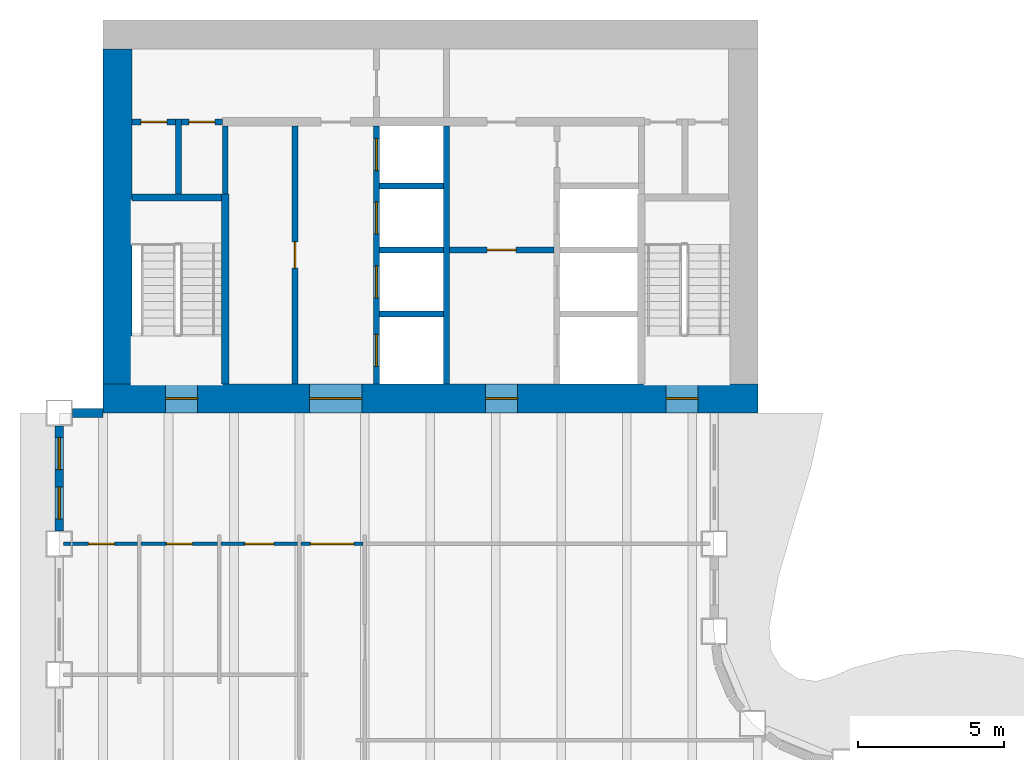
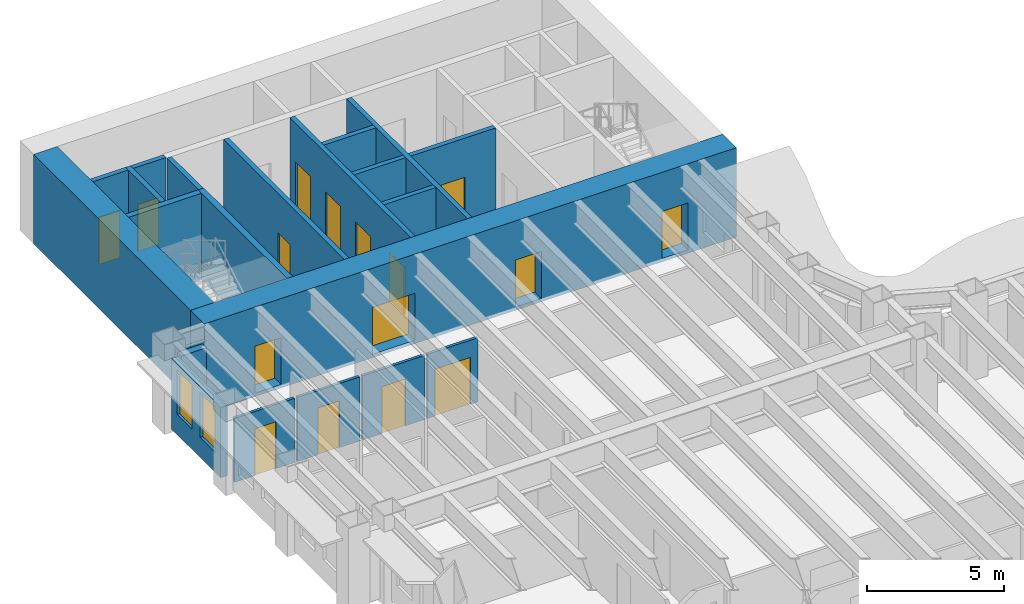
# One storey, part 8 of 16: 21 walls, 16 doors, 2 windows, 18 openings.
"""IFC4 building model written with IfcOpenShell, lengths in metres."""

from ifc_helpers import new_model, si_unit, direction, frame, frame_2d, origin, place, context, subcontext, project, spatial, rectangle, extrude, material, layer, layer_set, type_object, element, fill, save


model = new_model("IFC4")

# Units and contexts
model_context = context("Model", 3, precision=1e-05, world=origin(), true_north=direction((0.0, 1.0)))
body_context = subcontext(model_context, "Body", "Model", "MODEL_VIEW")
ifc_project = project(units=[si_unit("LENGTHUNIT", "METRE"), si_unit("AREAUNIT", "SQUARE_METRE"), si_unit("VOLUMEUNIT", "CUBIC_METRE"), si_unit("PLANEANGLEUNIT", "RADIAN"), si_unit("MASSUNIT", "GRAM", prefix="KILO")], contexts=[model_context])

# Site, building, storey
site_placement = place(None, origin())
site = spatial("IfcSite", under=ifc_project, at=site_placement, CompositionType="ELEMENT")
building_placement = place(site_placement, origin())
building = spatial("IfcBuilding", under=site, at=building_placement, Name="Sennacour Bend Tower", CompositionType="ELEMENT")
storey_placement = place(building_placement, frame((0.0, 0.0, 175.0)))
storey = spatial("IfcBuildingStorey", under=building, at=storey_placement, Name="L40", CompositionType="ELEMENT", Elevation=175.0)

# Wall, openings, doors
ifc_material_1 = material(Name="Concrete C60/75", Category="concrete")
ifc_layer_1 = layer(ifc_material_1, 1.0, Name="Concrete C60/75", Category="concrete")
ifc_layer_set_1 = layer_set([ifc_layer_1], Name="Concrete C60/75")
wall_type_1 = type_object("IfcWallType", Name="Core wall 1000 C60/75", PredefinedType="SHEAR", material=ifc_layer_set_1)
wall_1_placement = place(storey_placement, frame((0.0, 36.5, -0.14990234375), z_axis=(0.0, 0.0, 1.0), x_axis=(1.0, 0.0, 0.0)))
wall_1 = element("IfcWall", 1, at=wall_1_placement, inside=storey, type_object=wall_type_1, Name="Core B wall L40 S", PredefinedType="SHEAR", context=body_context, shape_type="SweptSolid", body=[
    extrude(rectangle(XDim=22.5, YDim=1.0, at=frame_2d((11.25, 0.0))), origin(), (0.0, 0.0, 1.0), 4.0),
])
opening_1_placement = place(wall_1_placement, frame((7.10009765625, 0.0, 0.14990234375)))
opening_1 = element("IfcOpeningElement", 2, at=opening_1_placement, cuts=wall_1, Name="Opening CD", PredefinedType="OPENING", context=body_context, shape_type="SweptSolid", body=[
    extrude(rectangle(XDim=1.800048828125, YDim=2.10009765625, at=frame_2d((0.89990234375, 1.050048828125))), frame((0.0, 0.510009765625, 0.0), z_axis=(0.0, -1.0, 0.0), x_axis=(1.0, 0.0, 0.0)), (0.0, 0.0, 1.0), 1.02001953125),
])
opening_2_placement = place(wall_1_placement, frame((13.14990234375, 0.0, 0.14990234375)))
opening_2 = element("IfcOpeningElement", 3, at=opening_2_placement, cuts=wall_1, Name="Opening FD", PredefinedType="OPENING", context=body_context, shape_type="SweptSolid", body=[
    extrude(rectangle(XDim=1.10009765625, YDim=2.10009765625, at=frame_2d((0.550048828125, 1.050048828125))), frame((0.0, 0.510009765625, 0.0), z_axis=(0.0, -1.0, 0.0), x_axis=(1.0, 0.0, 0.0)), (0.0, 0.0, 1.0), 1.02001953125),
])
opening_3_placement = place(wall_1_placement, frame((2.14990234375, 0.0, 0.14990234375)))
opening_3 = element("IfcOpeningElement", 4, at=opening_3_placement, cuts=wall_1, Name="Opening SD", PredefinedType="OPENING", context=body_context, shape_type="SweptSolid", body=[
    extrude(rectangle(XDim=1.10009765625, YDim=2.10009765625, at=frame_2d((0.550048828125, 1.050048828125))), frame((0.0, 0.510009765625, 0.0), z_axis=(0.0, -1.0, 0.0), x_axis=(1.0, 0.0, 0.0)), (0.0, 0.0, 1.0), 1.02001953125),
])
opening_4_placement = place(wall_1_placement, frame((19.35009765625, 0.0, 0.14990234375)))
opening_4 = element("IfcOpeningElement", 5, at=opening_4_placement, cuts=wall_1, Name="Opening SD", PredefinedType="OPENING", context=body_context, shape_type="SweptSolid", body=[
    extrude(rectangle(XDim=1.10009765625, YDim=2.10009765625, at=frame_2d((0.550048828125, 1.050048828125))), frame((0.0, 0.510009765625, 0.0), z_axis=(0.0, -1.0, 0.0), x_axis=(1.0, 0.0, 0.0)), (0.0, 0.0, 1.0), 1.02001953125),
])
ifc_material_2 = material(Name="Painted steel", Category="steel")
door_type_1 = type_object("IfcDoorType", Name="DR-FFL-1100", OperationType="NOTDEFINED", PredefinedType="DOOR", material=ifc_material_2)
door_1_placement = place(opening_2_placement, origin())
door_1 = element("IfcDoor", 6, at=door_1_placement, inside=storey, type_object=door_type_1, Name="Door", OperationType="SINGLE_SWING_RIGHT", OverallHeight=2.10009765625, OverallWidth=1.10009765625, PredefinedType="DOOR", context=body_context, shape_type="SweptSolid", body=[
    extrude(rectangle(XDim=1.10009765625, YDim=2.10009765625, at=frame_2d((0.550048828125, 1.050048828125))), frame((0.0, 0.02490234375, 0.0), z_axis=(0.0, -1.0, 0.0), x_axis=(1.0, 0.0, 0.0)), (0.0, 0.0, 1.0), 0.050048828125),
])
fill(opening_2, door_1)
door_type_2 = type_object("IfcDoorType", Name="DR-LOBBY-1800", OperationType="NOTDEFINED", PredefinedType="DOOR", material=ifc_material_2)
door_2_placement = place(opening_1_placement, origin())
door_2 = element("IfcDoor", 7, at=door_2_placement, inside=storey, type_object=door_type_2, Name="Door", OperationType="DOUBLE_DOOR_SINGLE_SWING", OverallHeight=2.10009765625, OverallWidth=1.800048828125, PredefinedType="DOOR", context=body_context, shape_type="SweptSolid", body=[
    extrude(rectangle(XDim=1.800048828125, YDim=2.10009765625, at=frame_2d((0.89990234375, 1.050048828125))), frame((0.0, 0.02490234375, 0.0), z_axis=(0.0, -1.0, 0.0), x_axis=(1.0, 0.0, 0.0)), (0.0, 0.0, 1.0), 0.050048828125),
])
fill(opening_1, door_2)
door_type_3 = type_object("IfcDoorType", Name="DR-STAIR-1100", OperationType="NOTDEFINED", PredefinedType="DOOR", material=ifc_material_2)
door_3_placement = place(opening_3_placement, origin())
door_3 = element("IfcDoor", 8, at=door_3_placement, inside=storey, type_object=door_type_3, Name="Door", OperationType="SINGLE_SWING_LEFT", OverallHeight=2.10009765625, OverallWidth=1.10009765625, PredefinedType="DOOR", context=body_context, shape_type="SweptSolid", body=[
    extrude(rectangle(XDim=1.10009765625, YDim=2.10009765625, at=frame_2d((0.550048828125, 1.050048828125))), frame((0.0, 0.02490234375, 0.0), z_axis=(0.0, -1.0, 0.0), x_axis=(1.0, 0.0, 0.0)), (0.0, 0.0, 1.0), 0.050048828125),
])
fill(opening_3, door_3)
door_4_placement = place(opening_4_placement, origin())
door_4 = element("IfcDoor", 9, at=door_4_placement, inside=storey, type_object=door_type_3, Name="Door", OperationType="SINGLE_SWING_RIGHT", OverallHeight=2.10009765625, OverallWidth=1.10009765625, PredefinedType="DOOR", context=body_context, shape_type="SweptSolid", body=[
    extrude(rectangle(XDim=1.10009765625, YDim=2.10009765625, at=frame_2d((0.550048828125, 1.050048828125))), frame((0.0, 0.02490234375, 0.0), z_axis=(0.0, -1.0, 0.0), x_axis=(1.0, 0.0, 0.0)), (0.0, 0.0, 1.0), 0.050048828125),
])
fill(opening_4, door_4)

# Wall
wall_2_placement = place(storey_placement, frame((0.5, 37.0, -0.14990234375), z_axis=(0.0, 0.0, 1.0), x_axis=(0.0, 1.0, 0.0)))
element("IfcWall", 10, at=wall_2_placement, inside=storey, type_object=wall_type_1, Name="Core B wall L40 W", PredefinedType="SHEAR", context=body_context, shape_type="SweptSolid", body=[
    extrude(rectangle(XDim=11.5, YDim=1.0, at=frame_2d((5.75, 0.0))), origin(), (0.0, 0.0, 1.0), 4.0),
])

# Wall, opening, door
ifc_material_3 = material(Name="Plasterboard partition on steel studs", Category="steel")
ifc_layer_2 = layer(ifc_material_3, 0.1201171875, Name="Plasterboard partition on steel studs", Category="steel")
ifc_layer_set_2 = layer_set([ifc_layer_2], Name="Plasterboard partition on steel studs")
wall_type_2 = type_object("IfcWallType", Name="Partition 120", PredefinedType="PARTITIONING", material=ifc_layer_set_2)
wall_3_placement = place(storey_placement, frame((-1.35009765625, 31.5, 0.0), z_axis=(0.0, 0.0, 1.0), x_axis=(1.0, 0.0, 0.0)))
wall_3 = element("IfcWall", 11, at=wall_3_placement, inside=storey, type_object=wall_type_2, Name="P-L40-W083aa", PredefinedType="PARTITIONING", context=body_context, shape_type="SweptSolid", body=[
    extrude(rectangle(XDim=2.5400390625, YDim=0.1201171875, at=frame_2d((1.27001953125, 0.0))), origin(), (0.0, 0.0, 1.0), 2.8701171875),
])
opening_5_placement = place(wall_3_placement, frame((0.85009765625, 0.0, 0.0)))
opening_5 = element("IfcOpeningElement", 12, at=opening_5_placement, cuts=wall_3, Name="Opening WD", PredefinedType="OPENING", context=body_context, shape_type="SweptSolid", body=[
    extrude(rectangle(XDim=0.89990234375, YDim=2.10009765625, at=frame_2d((0.449951171875, 1.050048828125))), frame((0.0, 0.070068359375, 0.0), z_axis=(0.0, -1.0, 0.0), x_axis=(1.0, 0.0, 0.0)), (0.0, 0.0, 1.0), 0.14013671875),
])
ifc_material_4 = material(Name="Timber", Category="wood")
door_type_4 = type_object("IfcDoorType", Name="DR-WC-900", OperationType="NOTDEFINED", PredefinedType="DOOR", material=ifc_material_4)
door_5_placement = place(opening_5_placement, origin())
door_5 = element("IfcDoor", 13, at=door_5_placement, inside=storey, type_object=door_type_4, Name="Door", OperationType="SINGLE_SWING_RIGHT", OverallHeight=2.10009765625, OverallWidth=0.89990234375, PredefinedType="DOOR", context=body_context, shape_type="SweptSolid", body=[
    extrude(rectangle(XDim=0.89990234375, YDim=2.10009765625, at=frame_2d((0.449951171875, 1.050048828125))), frame((0.0, 0.02490234375, 0.0), z_axis=(0.0, -1.0, 0.0), x_axis=(1.0, 0.0, 0.0)), (0.0, 0.0, 1.0), 0.050048828125),
])
fill(opening_5, door_5)

wall_4_placement = place(storey_placement, frame((1.31005859375, 31.5, 0.0), z_axis=(0.0, 0.0, 1.0), x_axis=(1.0, 0.0, 0.0)))
wall_4 = element("IfcWall", 14, at=wall_4_placement, inside=storey, type_object=wall_type_2, Name="P-L40-W083ab", PredefinedType="PARTITIONING", context=body_context, shape_type="SweptSolid", body=[
    extrude(rectangle(XDim=2.6298828125, YDim=0.1201171875, at=frame_2d((1.31494140625, 0.0))), origin(), (0.0, 0.0, 1.0), 2.8701171875),
])
opening_6_placement = place(wall_4_placement, frame((0.864990234375, 0.0, 0.0)))
opening_6 = element("IfcOpeningElement", 15, at=opening_6_placement, cuts=wall_4, Name="Opening WD", PredefinedType="OPENING", context=body_context, shape_type="SweptSolid", body=[
    extrude(rectangle(XDim=0.89990234375, YDim=2.10009765625, at=frame_2d((0.449951171875, 1.050048828125))), frame((0.0, 0.070068359375, 0.0), z_axis=(0.0, -1.0, 0.0), x_axis=(1.0, 0.0, 0.0)), (0.0, 0.0, 1.0), 0.14013671875),
])
door_6_placement = place(opening_6_placement, origin())
door_6 = element("IfcDoor", 16, at=door_6_placement, inside=storey, type_object=door_type_4, Name="Door", OperationType="SINGLE_SWING_LEFT", OverallHeight=2.10009765625, OverallWidth=0.89990234375, PredefinedType="DOOR", context=body_context, shape_type="SweptSolid", body=[
    extrude(rectangle(XDim=0.89990234375, YDim=2.10009765625, at=frame_2d((0.449951171875, 1.050048828125))), frame((0.0, 0.02490234375, 0.0), z_axis=(0.0, -1.0, 0.0), x_axis=(1.0, 0.0, 0.0)), (0.0, 0.0, 1.0), 0.050048828125),
])
fill(opening_6, door_6)

wall_5_placement = place(storey_placement, frame((4.06005859375, 31.5, 0.0), z_axis=(0.0, 0.0, 1.0), x_axis=(1.0, 0.0, 0.0)))
wall_5 = element("IfcWall", 17, at=wall_5_placement, inside=storey, type_object=wall_type_2, Name="P-L40-W083ac", PredefinedType="PARTITIONING", context=body_context, shape_type="SweptSolid", body=[
    extrude(rectangle(XDim=2.6298828125, YDim=0.1201171875, at=frame_2d((1.31494140625, 0.0))), origin(), (0.0, 0.0, 1.0), 2.8701171875),
])
opening_7_placement = place(wall_5_placement, frame((0.81494140625, 0.0, 0.0)))
opening_7 = element("IfcOpeningElement", 18, at=opening_7_placement, cuts=wall_5, Name="Opening AD", PredefinedType="OPENING", context=body_context, shape_type="SweptSolid", body=[
    extrude(rectangle(XDim=1.0, YDim=2.10009765625, at=frame_2d((0.5, 1.050048828125))), frame((0.0, 0.070068359375, 0.0), z_axis=(0.0, -1.0, 0.0), x_axis=(1.0, 0.0, 0.0)), (0.0, 0.0, 1.0), 0.14013671875),
])
door_type_5 = type_object("IfcDoorType", Name="DR-ACC-WC-1000", OperationType="NOTDEFINED", PredefinedType="DOOR", material=ifc_material_4)
door_7_placement = place(opening_7_placement, origin())
door_7 = element("IfcDoor", 19, at=door_7_placement, inside=storey, type_object=door_type_5, Name="Door", OperationType="SINGLE_SWING_LEFT", OverallHeight=2.10009765625, OverallWidth=1.0, PredefinedType="DOOR", context=body_context, shape_type="SweptSolid", body=[
    extrude(rectangle(XDim=1.0, YDim=2.10009765625, at=frame_2d((0.5, 1.050048828125))), frame((0.0, 0.02490234375, 0.0), z_axis=(0.0, -1.0, 0.0), x_axis=(1.0, 0.0, 0.0)), (0.0, 0.0, 1.0), 0.050048828125),
])
fill(opening_7, door_7)

ifc_layer_3 = layer(ifc_material_3, 0.1201171875, Name="Plasterboard partition on steel studs", Category="steel")
ifc_layer_set_3 = layer_set([ifc_layer_3], Name="Plasterboard partition on steel studs")
wall_type_3 = type_object("IfcWallType", Name="Partition 120 EI 30", PredefinedType="PARTITIONING", material=ifc_layer_set_3)
wall_6_placement = place(storey_placement, frame((6.81005859375, 31.5, 0.0), z_axis=(0.0, 0.0, 1.0), x_axis=(1.0, 0.0, 0.0)))
wall_6 = element("IfcWall", 20, at=wall_6_placement, inside=storey, type_object=wall_type_3, Name="P-L40-W083ad", PredefinedType="PARTITIONING", context=body_context, shape_type="SweptSolid", body=[
    extrude(rectangle(XDim=2.1298828125, YDim=0.1201171875, at=frame_2d((1.06494140625, 0.0))), origin(), (0.0, 0.0, 1.0), 2.8701171875),
])
opening_8_placement = place(wall_6_placement, frame((0.31494140625, 0.0, 0.0)))
opening_8 = element("IfcOpeningElement", 21, at=opening_8_placement, cuts=wall_6, Name="Opening KD", PredefinedType="OPENING", context=body_context, shape_type="SweptSolid", body=[
    extrude(rectangle(XDim=1.5, YDim=2.10009765625, at=frame_2d((0.75, 1.050048828125))), frame((0.0, 0.070068359375, 0.0), z_axis=(0.0, -1.0, 0.0), x_axis=(1.0, 0.0, 0.0)), (0.0, 0.0, 1.0), 0.14013671875),
])
door_type_6 = type_object("IfcDoorType", Name="DR-CORRIDOR-1500", OperationType="NOTDEFINED", PredefinedType="DOOR", material=ifc_material_2)
door_8_placement = place(opening_8_placement, origin())
door_8 = element("IfcDoor", 22, at=door_8_placement, inside=storey, type_object=door_type_6, Name="Door", OperationType="SINGLE_SWING_LEFT", OverallHeight=2.10009765625, OverallWidth=1.5, PredefinedType="DOOR", context=body_context, shape_type="SweptSolid", body=[
    extrude(rectangle(XDim=1.5, YDim=2.10009765625, at=frame_2d((0.75, 1.050048828125))), frame((0.0, 0.02490234375, 0.0), z_axis=(0.0, -1.0, 0.0), x_axis=(1.0, 0.0, 0.0)), (0.0, 0.0, 1.0), 0.050048828125),
])
fill(opening_8, door_8)

# Walls
ifc_material_5 = material(Name="Fire-rated plasterboard partition on steel studs", Category="steel")
ifc_layer_4 = layer(ifc_material_5, 0.199951171875, Name="Fire-rated plasterboard partition on steel studs", Category="steel")
ifc_layer_set_4 = layer_set([ifc_layer_4], Name="Fire-rated plasterboard partition on steel studs")
wall_type_4 = type_object("IfcWallType", Name="Rated partition 200", PredefinedType="PARTITIONING", material=ifc_layer_set_4)
wall_7_placement = place(storey_placement, frame((2.60009765625, 43.52490234375, 0.0), z_axis=(0.0, 0.0, 1.0), x_axis=(0.0, 1.0, 0.0)))
element("IfcWall", 23, at=wall_7_placement, inside=storey, type_object=wall_type_4, Name="P-L40-W005", PredefinedType="PARTITIONING", context=body_context, shape_type="SweptSolid", body=[
    extrude(rectangle(XDim=2.5751953125, YDim=0.199951171875, at=frame_2d((1.28759765625, 0.0))), origin(), (0.0, 0.0, 1.0), 3.85009765625),
])
wall_8_placement = place(storey_placement, frame((4.199951171875, 43.52490234375, 0.0), z_axis=(0.0, 0.0, 1.0), x_axis=(0.0, 1.0, 0.0)))
element("IfcWall", 24, at=wall_8_placement, inside=storey, type_object=wall_type_4, Name="P-L40-W008", PredefinedType="PARTITIONING", context=body_context, shape_type="SweptSolid", body=[
    extrude(rectangle(XDim=2.3251953125, YDim=0.199951171875, at=frame_2d((1.16259765625, 0.0))), origin(), (0.0, 0.0, 1.0), 3.85009765625),
])

# Wall, opening, door
wall_9_placement = place(storey_placement, frame((6.60009765625, 37.0, 0.0), z_axis=(0.0, 0.0, 1.0), x_axis=(0.0, 1.0, 0.0)))
wall_9 = element("IfcWall", 25, at=wall_9_placement, inside=storey, type_object=wall_type_4, Name="P-L40-W009", PredefinedType="PARTITIONING", context=body_context, shape_type="SweptSolid", body=[
    extrude(rectangle(XDim=8.85009765625, YDim=0.199951171875, at=frame_2d((4.425048828125, 0.0))), origin(), (0.0, 0.0, 1.0), 3.85009765625),
])
opening_9_placement = place(wall_9_placement, frame((3.97509765625, 0.0, 0.0)))
opening_9 = element("IfcOpeningElement", 26, at=opening_9_placement, cuts=wall_9, Name="Opening SV", PredefinedType="OPENING", context=body_context, shape_type="SweptSolid", body=[
    extrude(rectangle(XDim=0.89990234375, YDim=2.10009765625, at=frame_2d((0.449951171875, 1.050048828125))), frame((0.0, 0.10986328125, 0.0), z_axis=(0.0, -1.0, 0.0), x_axis=(1.0, 0.0, 0.0)), (0.0, 0.0, 1.0), 0.219970703125),
])
door_type_7 = type_object("IfcDoorType", Name="DR-SERVICE-900", OperationType="NOTDEFINED", PredefinedType="DOOR", material=ifc_material_2)
door_9_placement = place(opening_9_placement, origin())
door_9 = element("IfcDoor", 27, at=door_9_placement, inside=storey, type_object=door_type_7, Name="Door", OperationType="SINGLE_SWING_LEFT", OverallHeight=2.10009765625, OverallWidth=0.89990234375, PredefinedType="DOOR", context=body_context, shape_type="SweptSolid", body=[
    extrude(rectangle(XDim=0.89990234375, YDim=2.10009765625, at=frame_2d((0.449951171875, 1.050048828125))), frame((0.0, 0.02490234375, 0.0), z_axis=(0.0, -1.0, 0.0), x_axis=(1.0, 0.0, 0.0)), (0.0, 0.0, 1.0), 0.050048828125),
])
fill(opening_9, door_9)

wall_10_placement = place(storey_placement, frame((1.0, 46.0, 0.0), z_axis=(0.0, 0.0, 1.0), x_axis=(1.0, 0.0, 0.0)))
wall_10 = element("IfcWall", 28, at=wall_10_placement, inside=storey, type_object=wall_type_4, Name="P-L40-W094a", PredefinedType="PARTITIONING", context=body_context, shape_type="SweptSolid", body=[
    extrude(rectangle(XDim=1.5, YDim=0.199951171875, at=frame_2d((0.75, 0.0))), origin(), (0.0, 0.0, 1.0), 3.85009765625),
])
opening_10_placement = place(wall_10_placement, frame((0.300048828125, 0.0, 0.0)))
opening_10 = element("IfcOpeningElement", 29, at=opening_10_placement, cuts=wall_10, Name="Opening SV", PredefinedType="OPENING", context=body_context, shape_type="SweptSolid", body=[
    extrude(rectangle(XDim=0.89990234375, YDim=2.10009765625, at=frame_2d((0.449951171875, 1.050048828125))), frame((0.0, 0.10986328125, 0.0), z_axis=(0.0, -1.0, 0.0), x_axis=(1.0, 0.0, 0.0)), (0.0, 0.0, 1.0), 0.219970703125),
])
door_10_placement = place(opening_10_placement, origin())
door_10 = element("IfcDoor", 30, at=door_10_placement, inside=storey, type_object=door_type_7, Name="Door", OperationType="SINGLE_SWING_LEFT", OverallHeight=2.10009765625, OverallWidth=0.89990234375, PredefinedType="DOOR", context=body_context, shape_type="SweptSolid", body=[
    extrude(rectangle(XDim=0.89990234375, YDim=2.10009765625, at=frame_2d((0.449951171875, 1.050048828125))), frame((0.0, 0.02490234375, 0.0), z_axis=(0.0, -1.0, 0.0), x_axis=(1.0, 0.0, 0.0)), (0.0, 0.0, 1.0), 0.050048828125),
])
fill(opening_10, door_10)

wall_11_placement = place(storey_placement, frame((2.699951171875, 46.0, 0.0), z_axis=(0.0, 0.0, 1.0), x_axis=(1.0, 0.0, 0.0)))
wall_11 = element("IfcWall", 31, at=wall_11_placement, inside=storey, type_object=wall_type_4, Name="P-L40-W094b", PredefinedType="PARTITIONING", context=body_context, shape_type="SweptSolid", body=[
    extrude(rectangle(XDim=1.400146484375, YDim=0.199951171875, at=frame_2d((0.7001953125, 0.0))), origin(), (0.0, 0.0, 1.0), 3.85009765625),
])
opening_11_placement = place(wall_11_placement, frame((0.25, 0.0, 0.0)))
opening_11 = element("IfcOpeningElement", 32, at=opening_11_placement, cuts=wall_11, Name="Opening WD", PredefinedType="OPENING", context=body_context, shape_type="SweptSolid", body=[
    extrude(rectangle(XDim=0.89990234375, YDim=2.10009765625, at=frame_2d((0.449951171875, 1.050048828125))), frame((0.0, 0.10986328125, 0.0), z_axis=(0.0, -1.0, 0.0), x_axis=(1.0, 0.0, 0.0)), (0.0, 0.0, 1.0), 0.219970703125),
])
door_11_placement = place(opening_11_placement, origin())
door_11 = element("IfcDoor", 33, at=door_11_placement, inside=storey, type_object=door_type_4, Name="Door", OperationType="SINGLE_SWING_LEFT", OverallHeight=2.10009765625, OverallWidth=0.89990234375, PredefinedType="DOOR", context=body_context, shape_type="SweptSolid", body=[
    extrude(rectangle(XDim=0.89990234375, YDim=2.10009765625, at=frame_2d((0.449951171875, 1.050048828125))), frame((0.0, 0.02490234375, 0.0), z_axis=(0.0, -1.0, 0.0), x_axis=(1.0, 0.0, 0.0)), (0.0, 0.0, 1.0), 0.050048828125),
])
fill(opening_11, door_11)

ifc_layer_5 = layer(ifc_material_5, 0.199951171875, Name="Fire-rated plasterboard partition on steel studs", Category="steel")
ifc_layer_set_5 = layer_set([ifc_layer_5], Name="Fire-rated plasterboard partition on steel studs")
wall_type_5 = type_object("IfcWallType", Name="Rated partition 200 EI 90", PredefinedType="PARTITIONING", material=ifc_layer_set_5)
wall_12_placement = place(storey_placement, frame((11.89990234375, 41.60009765625, 0.0), z_axis=(0.0, 0.0, 1.0), x_axis=(1.0, 0.0, 0.0)))
wall_12 = element("IfcWall", 34, at=wall_12_placement, inside=storey, type_object=wall_type_5, Name="P-L40-W088", PredefinedType="PARTITIONING", context=body_context, shape_type="SweptSolid", body=[
    extrude(rectangle(XDim=3.60009765625, YDim=0.199951171875, at=frame_2d((1.800048828125, 0.0))), origin(), (0.0, 0.0, 1.0), 3.85009765625),
])
opening_12_placement = place(wall_12_placement, frame((1.300048828125, 0.0, 0.0)))
opening_12 = element("IfcOpeningElement", 35, at=opening_12_placement, cuts=wall_12, Name="Opening FD2", PredefinedType="OPENING", context=body_context, shape_type="SweptSolid", body=[
    extrude(rectangle(XDim=1.0, YDim=2.10009765625, at=frame_2d((0.5, 1.050048828125))), frame((0.0, 0.10986328125, 0.0), z_axis=(0.0, -1.0, 0.0), x_axis=(1.0, 0.0, 0.0)), (0.0, 0.0, 1.0), 0.219970703125),
])
door_type_8 = type_object("IfcDoorType", Name="DR-FFL-1000", OperationType="NOTDEFINED", PredefinedType="DOOR", material=ifc_material_2)
door_12_placement = place(opening_12_placement, origin())
door_12 = element("IfcDoor", 36, at=door_12_placement, inside=storey, type_object=door_type_8, Name="Door", OperationType="SINGLE_SWING_RIGHT", OverallHeight=2.10009765625, OverallWidth=1.0, PredefinedType="DOOR", context=body_context, shape_type="SweptSolid", body=[
    extrude(rectangle(XDim=1.0, YDim=2.10009765625, at=frame_2d((0.5, 1.050048828125))), frame((0.0, 0.02490234375, 0.0), z_axis=(0.0, -1.0, 0.0), x_axis=(1.0, 0.0, 0.0)), (0.0, 0.0, 1.0), 0.050048828125),
])
fill(opening_12, door_12)

# Wall
ifc_material_6 = material(Name="Warm limestone cladding", Category="masonry")
ifc_layer_6 = layer(ifc_material_6, 0.050048828125, Name="Warm limestone cladding", Category="masonry")
ifc_material_7 = material(Name="Precast concrete C40/50", Category="concrete")
ifc_layer_7 = layer(ifc_material_7, 0.25, Name="Precast concrete C40/50", Category="concrete")
ifc_layer_set_6 = layer_set([ifc_layer_6, ifc_layer_7], Name="Precast concrete C40/50 with limestone cladding")
wall_type_6 = type_object("IfcWallType", Name="STONE-CLAD PRECAST SPANDREL 300", PredefinedType="STANDARD", material=ifc_layer_set_6)
wall_13_placement = place(storey_placement, frame((0.0, 36.0, 0.0), z_axis=(0.0, 0.0, 1.0), x_axis=(-1.0, 0.0, 0.0)))
element("IfcWall", 37, at=wall_13_placement, inside=storey, type_object=wall_type_6, Name="Stone spandrel and pier wall L40 20.00", PredefinedType="STANDARD", context=body_context, shape_type="SweptSolid", body=[
    extrude(rectangle(XDim=1.050048828125, YDim=0.300048828125, at=frame_2d((0.52490234375, 0.0))), origin(), (0.0, 0.0, 1.0), 2.8701171875),
])

# Wall, openings, windows
wall_14_placement = place(storey_placement, frame((-1.5, 35.550048828125, 0.0), z_axis=(0.0, 0.0, 1.0), x_axis=(0.0, -1.0, 0.0)))
wall_14 = element("IfcWall", 38, at=wall_14_placement, inside=storey, type_object=wall_type_6, Name="Stone spandrel and pier wall L40 21.00", PredefinedType="STANDARD", context=body_context, shape_type="SweptSolid", body=[
    extrude(rectangle(XDim=3.60009765625, YDim=0.300048828125, at=frame_2d((1.800048828125, 0.0))), origin(), (0.0, 0.0, 1.0), 3.14892578125),
])
opening_13_placement = place(wall_14_placement, frame((0.39990234375, 0.0, 0.89990234375)))
opening_13 = element("IfcOpeningElement", 39, at=opening_13_placement, cuts=wall_14, Name="Opening W19", PredefinedType="OPENING", context=body_context, shape_type="SweptSolid", body=[
    extrude(rectangle(XDim=1.10009765625, YDim=2.0, at=frame_2d((0.550048828125, 1.0))), frame((0.0, 0.16015625, 0.0), z_axis=(0.0, -1.0, 0.0), x_axis=(1.0, 0.0, 0.0)), (0.0, 0.0, 1.0), 0.320068359375),
])
opening_14_placement = place(wall_14_placement, frame((2.10009765625, 0.0, 0.89990234375)))
opening_14 = element("IfcOpeningElement", 40, at=opening_14_placement, cuts=wall_14, Name="Opening W19", PredefinedType="OPENING", context=body_context, shape_type="SweptSolid", body=[
    extrude(rectangle(XDim=1.10009765625, YDim=2.0, at=frame_2d((0.550048828125, 1.0))), frame((0.0, 0.16015625, 0.0), z_axis=(0.0, -1.0, 0.0), x_axis=(1.0, 0.0, 0.0)), (0.0, 0.0, 1.0), 0.320068359375),
])
ifc_material_8 = material(Name="Clear low-emissivity glass", Category="glass")
window_type = type_object("IfcWindowType", Name="WIN-RIBBON-1100x2000", PartitioningType="SINGLE_PANEL", PredefinedType="WINDOW", material=ifc_material_8)
window_1_placement = place(opening_13_placement, origin())
window_1 = element("IfcWindow", 41, at=window_1_placement, inside=storey, type_object=window_type, Name="Ribbon window L40 21.00.0", OverallHeight=2.0, OverallWidth=1.10009765625, PartitioningType="SINGLE_PANEL", PredefinedType="WINDOW", context=body_context, shape_type="SweptSolid", body=[
    extrude(rectangle(XDim=1.10009765625, YDim=2.0, at=frame_2d((0.550048828125, 1.0))), frame((0.0, 0.030029296875, 0.0), z_axis=(0.0, -1.0, 0.0), x_axis=(1.0, 0.0, 0.0)), (0.0, 0.0, 1.0), 0.06005859375),
])
fill(opening_13, window_1)
window_2_placement = place(opening_14_placement, origin())
window_2 = element("IfcWindow", 42, at=window_2_placement, inside=storey, type_object=window_type, Name="Ribbon window L40 21.00.1", OverallHeight=2.0, OverallWidth=1.10009765625, PartitioningType="SINGLE_PANEL", PredefinedType="WINDOW", context=body_context, shape_type="SweptSolid", body=[
    extrude(rectangle(XDim=1.10009765625, YDim=2.0, at=frame_2d((0.550048828125, 1.0))), frame((0.0, 0.030029296875, 0.0), z_axis=(0.0, -1.0, 0.0), x_axis=(1.0, 0.0, 0.0)), (0.0, 0.0, 1.0), 0.06005859375),
])
fill(opening_14, window_2)

# Wall, openings, doors
ifc_material_9 = material(Name="Concrete C50/60", Category="concrete")
ifc_layer_8 = layer(ifc_material_9, 0.199951171875, Name="Concrete C50/60", Category="concrete")
ifc_layer_set_7 = layer_set([ifc_layer_8], Name="Concrete C50/60")
wall_type_7 = type_object("IfcWallType", Name="Shaft wall 200", PredefinedType="SOLIDWALL", material=ifc_layer_set_7)
wall_15_placement = place(storey_placement, frame((9.39990234375, 37.0, 0.0), z_axis=(0.0, 0.0, 1.0), x_axis=(0.0, 1.0, 0.0)))
wall_15 = element("IfcWall", 43, at=wall_15_placement, inside=storey, type_object=wall_type_7, Name="P-L40-W013", PredefinedType="SOLIDWALL", context=body_context, shape_type="SweptSolid", body=[
    extrude(rectangle(XDim=8.85009765625, YDim=0.199951171875, at=frame_2d((4.425048828125, 0.0))), origin(), (0.0, 0.0, 1.0), 3.85009765625),
])
opening_15_placement = place(wall_15_placement, frame((0.60009765625, 0.0, 0.011962890625)))
opening_15 = element("IfcOpeningElement", 44, at=opening_15_placement, cuts=wall_15, Name="Opening LD", PredefinedType="OPENING", context=body_context, shape_type="SweptSolid", body=[
    extrude(rectangle(XDim=1.10009765625, YDim=2.10009765625, at=frame_2d((0.550048828125, 1.050048828125))), frame((0.0, 0.10986328125, 0.0), z_axis=(0.0, -1.0, 0.0), x_axis=(1.0, 0.0, 0.0)), (0.0, 0.0, 1.0), 0.219970703125),
])
opening_16_placement = place(wall_15_placement, frame((2.949951171875, 0.0, 0.011962890625)))
opening_16 = element("IfcOpeningElement", 45, at=opening_16_placement, cuts=wall_15, Name="Opening LD", PredefinedType="OPENING", context=body_context, shape_type="SweptSolid", body=[
    extrude(rectangle(XDim=1.10009765625, YDim=2.10009765625, at=frame_2d((0.550048828125, 1.050048828125))), frame((0.0, 0.10986328125, 0.0), z_axis=(0.0, -1.0, 0.0), x_axis=(1.0, 0.0, 0.0)), (0.0, 0.0, 1.0), 0.219970703125),
])
opening_17_placement = place(wall_15_placement, frame((5.14990234375, 0.0, 0.011962890625)))
opening_17 = element("IfcOpeningElement", 46, at=opening_17_placement, cuts=wall_15, Name="Opening LD", PredefinedType="OPENING", context=body_context, shape_type="SweptSolid", body=[
    extrude(rectangle(XDim=1.10009765625, YDim=2.10009765625, at=frame_2d((0.550048828125, 1.050048828125))), frame((0.0, 0.10986328125, 0.0), z_axis=(0.0, -1.0, 0.0), x_axis=(1.0, 0.0, 0.0)), (0.0, 0.0, 1.0), 0.219970703125),
])
opening_18_placement = place(wall_15_placement, frame((7.324951171875, 0.0, 0.011962890625)))
opening_18 = element("IfcOpeningElement", 47, at=opening_18_placement, cuts=wall_15, Name="Opening LD", PredefinedType="OPENING", context=body_context, shape_type="SweptSolid", body=[
    extrude(rectangle(XDim=1.10009765625, YDim=2.10009765625, at=frame_2d((0.550048828125, 1.050048828125))), frame((0.0, 0.10986328125, 0.0), z_axis=(0.0, -1.0, 0.0), x_axis=(1.0, 0.0, 0.0)), (0.0, 0.0, 1.0), 0.219970703125),
])
ifc_material_10 = material(Name="Stainless steel", Category="steel")
door_type_9 = type_object("IfcDoorType", Name="DR-LANDING-1100", OperationType="NOTDEFINED", PredefinedType="DOOR", material=ifc_material_10)
door_13_placement = place(opening_15_placement, origin())
door_13 = element("IfcDoor", 48, at=door_13_placement, inside=storey, type_object=door_type_9, Name="Lift landing door MB1", OperationType="SLIDING_TO_RIGHT", OverallHeight=2.10009765625, OverallWidth=1.10009765625, PredefinedType="DOOR", context=body_context, shape_type="SweptSolid", body=[
    extrude(rectangle(XDim=1.10009765625, YDim=2.10009765625, at=frame_2d((0.550048828125, 1.050048828125))), frame((0.0, 0.02490234375, 0.0), z_axis=(0.0, -1.0, 0.0), x_axis=(1.0, 0.0, 0.0)), (0.0, 0.0, 1.0), 0.050048828125),
])
fill(opening_15, door_13)
door_14_placement = place(opening_16_placement, origin())
door_14 = element("IfcDoor", 49, at=door_14_placement, inside=storey, type_object=door_type_9, Name="Lift landing door MB2", OperationType="SLIDING_TO_LEFT", OverallHeight=2.10009765625, OverallWidth=1.10009765625, PredefinedType="DOOR", context=body_context, shape_type="SweptSolid", body=[
    extrude(rectangle(XDim=1.10009765625, YDim=2.10009765625, at=frame_2d((0.550048828125, 1.050048828125))), frame((0.0, 0.02490234375, 0.0), z_axis=(0.0, -1.0, 0.0), x_axis=(1.0, 0.0, 0.0)), (0.0, 0.0, 1.0), 0.050048828125),
])
fill(opening_16, door_14)
door_15_placement = place(opening_17_placement, origin())
door_15 = element("IfcDoor", 50, at=door_15_placement, inside=storey, type_object=door_type_9, Name="Lift landing door MB3", OperationType="SLIDING_TO_RIGHT", OverallHeight=2.10009765625, OverallWidth=1.10009765625, PredefinedType="DOOR", context=body_context, shape_type="SweptSolid", body=[
    extrude(rectangle(XDim=1.10009765625, YDim=2.10009765625, at=frame_2d((0.550048828125, 1.050048828125))), frame((0.0, 0.02490234375, 0.0), z_axis=(0.0, -1.0, 0.0), x_axis=(1.0, 0.0, 0.0)), (0.0, 0.0, 1.0), 0.050048828125),
])
fill(opening_17, door_15)
door_16_placement = place(opening_18_placement, origin())
door_16 = element("IfcDoor", 51, at=door_16_placement, inside=storey, type_object=door_type_9, Name="Lift landing door MB4", OperationType="SLIDING_TO_LEFT", OverallHeight=2.10009765625, OverallWidth=1.10009765625, PredefinedType="DOOR", context=body_context, shape_type="SweptSolid", body=[
    extrude(rectangle(XDim=1.10009765625, YDim=2.10009765625, at=frame_2d((0.550048828125, 1.050048828125))), frame((0.0, 0.02490234375, 0.0), z_axis=(0.0, -1.0, 0.0), x_axis=(1.0, 0.0, 0.0)), (0.0, 0.0, 1.0), 0.050048828125),
])
fill(opening_18, door_16)

# Walls
wall_16_placement = place(storey_placement, frame((11.800048828125, 37.0, 0.0), z_axis=(0.0, 0.0, 1.0), x_axis=(0.0, 1.0, 0.0)))
element("IfcWall", 52, at=wall_16_placement, inside=storey, type_object=wall_type_7, Name="P-L40-W016", PredefinedType="SOLIDWALL", context=body_context, shape_type="SweptSolid", body=[
    extrude(rectangle(XDim=8.85009765625, YDim=0.199951171875, at=frame_2d((4.425048828125, 0.0))), origin(), (0.0, 0.0, 1.0), 3.85009765625),
])
for number, where, z_axis, x_axis, name in (
    (53, (9.5, 39.39990234375, 0.0), (0.0, 0.0, 1.0), (1.0, 0.0, 0.0), "P-L40-W085"),
    (54, (9.5, 41.60009765625, 0.0), (0.0, 0.0, 1.0), (1.0, 0.0, 0.0), "P-L40-W087"),
    (55, (9.5, 43.800048828125, 0.0), (0.0, 0.0, 1.0), (1.0, 0.0, 0.0), "P-L40-W092"),
):
    element("IfcWall", number, at=place(storey_placement, frame(where, z_axis=z_axis, x_axis=x_axis)), inside=storey, type_object=wall_type_7, Name=name, PredefinedType="SOLIDWALL", context=body_context, shape_type="SweptSolid", body=[
        extrude(rectangle(XDim=2.199951171875, YDim=0.199951171875, at=frame_2d((1.10009765625, 0.0))), origin(), (0.0, 0.0, 1.0), 3.85009765625),
    ])
ifc_layer_9 = layer(ifc_material_1, 0.25, Name="Concrete C60/75", Category="concrete")
ifc_layer_set_8 = layer_set([ifc_layer_9], Name="Concrete C60/75")
wall_type_8 = type_object("IfcWallType", Name="Stair wall 250", PredefinedType="SHEAR", material=ifc_layer_set_8)
wall_17_placement = place(storey_placement, frame((4.199951171875, 37.0, 0.0), z_axis=(0.0, 0.0, 1.0), x_axis=(0.0, 1.0, 0.0)))
element("IfcWall", 56, at=wall_17_placement, inside=storey, type_object=wall_type_8, Name="P-L40-W007", PredefinedType="SHEAR", context=body_context, shape_type="SweptSolid", body=[
    extrude(rectangle(XDim=6.52490234375, YDim=0.25, at=frame_2d((3.262451171875, 0.0))), origin(), (0.0, 0.0, 1.0), 3.85009765625),
])
wall_18_placement = place(storey_placement, frame((1.0, 43.39990234375, 0.0), z_axis=(0.0, 0.0, 1.0), x_axis=(1.0, 0.0, 0.0)))
element("IfcWall", 57, at=wall_18_placement, inside=storey, type_object=wall_type_8, Name="P-L40-W090", PredefinedType="SHEAR", context=body_context, shape_type="SweptSolid", body=[
    extrude(rectangle(XDim=3.074951171875, YDim=0.25, at=frame_2d((1.53759765625, 0.0))), origin(), (0.0, 0.0, 1.0), 3.85009765625),
])

save(model, "model.ifc")
